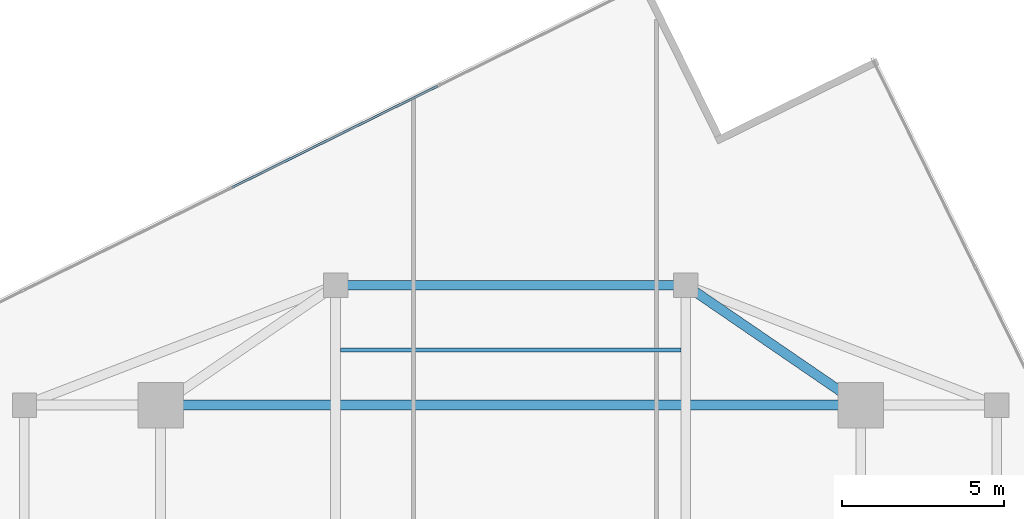
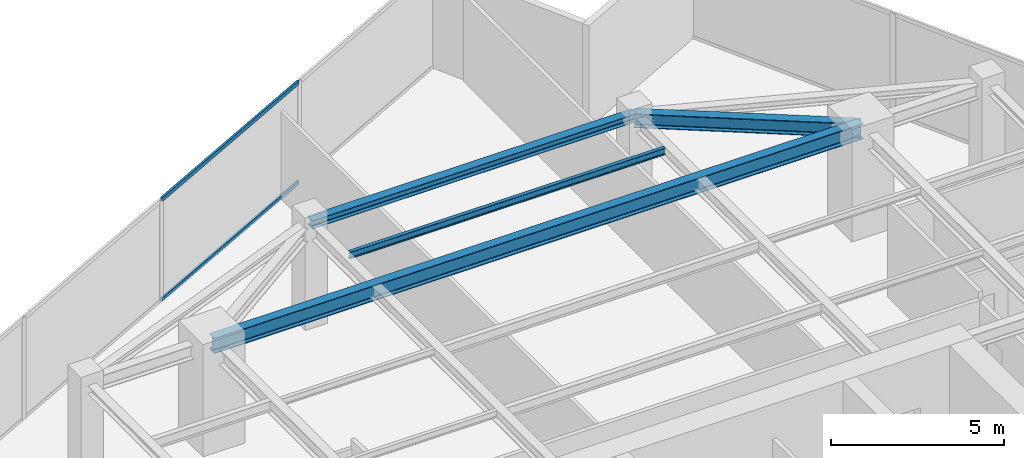
# One storey, part 14 of 22: 4 beams, 2 members, 1 element without a shape of its own.
"""IFC4 building model written with IfcOpenShell, lengths in metres."""

from ifc_helpers import new_model, si_unit, direction, frame, origin, origin_2d, place, context, subcontext, project, spatial, hollow_rectangle, i_section, extrude, source, transform, mapped, material, material_profile, profile_set, type_object, type_shapes, element, aggregate, save


model = new_model("IFC4")

# Units and contexts
model_context = context("Model", 3, precision=1e-05, world=origin(), true_north=direction((0.0, 1.0)))
body_context = subcontext(model_context, "Body", "Model", "MODEL_VIEW")
ifc_project = project(units=[si_unit("LENGTHUNIT", "METRE"), si_unit("AREAUNIT", "SQUARE_METRE"), si_unit("VOLUMEUNIT", "CUBIC_METRE"), si_unit("PLANEANGLEUNIT", "RADIAN"), si_unit("MASSUNIT", "GRAM", prefix="KILO")], contexts=[model_context])

# Site, building, storey
site_placement = place(None, origin())
site = spatial("IfcSite", under=ifc_project, at=site_placement, CompositionType="ELEMENT")
building_placement = place(site_placement, origin())
building = spatial("IfcBuilding", under=site, at=building_placement, Name="Krantzveldt Concourse Tower", CompositionType="ELEMENT")
storey_placement = place(building_placement, frame((0.0, 0.0, 314.800048828125)))
storey = spatial("IfcBuildingStorey", under=building, at=storey_placement, Name="L77", CompositionType="ELEMENT", Elevation=314.800048828125)

# Beams
ifc_material_1 = material(Name="Steel S355JR", Category="steel")
ifc_material_profile_1 = material_profile(ifc_material_1, i_section(OverallWidth=0.300048828125, OverallDepth=0.489990234375, WebThickness=0.011962890625, FlangeThickness=0.02294921875, FilletRadius=0.027099609375, at=origin_2d()), Name="Steel S355JR", Category="steel")
ifc_profile_set_1 = profile_set([ifc_material_profile_1], Name="Steel S355JR - HEA 500")
beam_type_1 = type_object("IfcBeamType", Name="BM-B-HEA500", PredefinedType="BEAM", material=ifc_profile_set_1)
shared_shape_1 = source(origin(), body_context, "Body", "SweptSolid", [
    extrude(i_section(OverallWidth=0.300048828125, OverallDepth=0.489990234375, WebThickness=0.011962890625, FlangeThickness=0.02294921875, FilletRadius=0.027099609375, at=origin_2d()), origin(), (0.0, 0.0, 1.0), 6.546142578125),
])
type_shapes(beam_type_1, [shared_shape_1])
beam_1_placement = place(storey_placement, frame((46.800048828125, 37.5, 3.344970703125), z_axis=(-0.824942999484, 0.565215930068, 0.0), x_axis=(-0.565215930068, -0.824942999484, 0.0)))
element("IfcBeam", 1, at=beam_1_placement, inside=storey, type_object=beam_type_1, Name="L77 Tower Girder BR-RR4", PredefinedType="BEAM", context=body_context, shape_type="MappedRepresentation", body=[
    mapped(shared_shape_1, transform((0.0, 0.0, 0.0), x_axis=(1.0, 0.0, 0.0), y_axis=(0.0, 1.0, 0.0), z_axis=(0.0, 0.0, 1.0), scale=1.0)),
])
ifc_material_profile_2 = material_profile(ifc_material_1, i_section(OverallWidth=0.300048828125, OverallDepth=0.5400390625, WebThickness=0.012451171875, FlangeThickness=0.02392578125, FilletRadius=0.027099609375, at=origin_2d()), Name="Steel S355JR", Category="steel")
ifc_profile_set_2 = profile_set([ifc_material_profile_2], Name="Steel S355JR - HEA 550")
beam_type_2 = type_object("IfcBeamType", Name="BM-B-HEA550", PredefinedType="BEAM", material=ifc_profile_set_2)
shared_shape_2 = source(origin(), body_context, "Body", "SweptSolid", [
    extrude(i_section(OverallWidth=0.300048828125, OverallDepth=0.5400390625, WebThickness=0.012451171875, FlangeThickness=0.02392578125, FilletRadius=0.027099609375, at=origin_2d()), origin(), (0.0, 0.0, 1.0), 21.60009765625),
])
type_shapes(beam_type_2, [shared_shape_2])
beam_2_placement = place(storey_placement, frame((25.199951171875, 37.5, 3.320068359375), z_axis=(1.0, 0.0, 0.0), x_axis=(0.0, 1.0, 0.0)))
element("IfcBeam", 2, at=beam_2_placement, inside=storey, type_object=beam_type_2, Name="L77 Tower Girder BG-MN", PredefinedType="BEAM", context=body_context, shape_type="MappedRepresentation", body=[
    mapped(shared_shape_2, transform((0.0, 0.0, 0.0), x_axis=(1.0, 0.0, 0.0), y_axis=(0.0, 1.0, 0.0), z_axis=(0.0, 0.0, 1.0), scale=1.0)),
])
ifc_material_profile_3 = material_profile(ifc_material_1, i_section(OverallWidth=0.2900390625, OverallDepth=0.2900390625, WebThickness=0.008544921875, FlangeThickness=0.013916015625, FilletRadius=0.027099609375, at=origin_2d()), Name="Steel S355JR", Category="steel")
ifc_profile_set_3 = profile_set([ifc_material_profile_3], Name="Steel S355JR - HEA 300")
beam_type_3 = type_object("IfcBeamType", Name="BM-SP-HEA300", PredefinedType="SPANDREL", material=ifc_profile_set_3)
shared_shape_3 = source(origin(), body_context, "Body", "SweptSolid", [
    extrude(i_section(OverallWidth=0.2900390625, OverallDepth=0.2900390625, WebThickness=0.008544921875, FlangeThickness=0.013916015625, FilletRadius=0.027099609375, at=origin_2d()), origin(), (0.0, 0.0, 1.0), 10.7998046875),
])
type_shapes(beam_type_3, [shared_shape_3])
beam_3_placement = place(storey_placement, frame((30.60009765625, 41.199951171875, 3.445068359375), z_axis=(1.0, 0.0, 0.0), x_axis=(0.0, 1.0, 0.0)))
element("IfcBeam", 3, at=beam_3_placement, inside=storey, type_object=beam_type_3, Name="L77 Tower Girder SP-R04", PredefinedType="SPANDREL", context=body_context, shape_type="MappedRepresentation", body=[
    mapped(shared_shape_3, transform((0.0, 0.0, 0.0), x_axis=(1.0, 0.0, 0.0), y_axis=(0.0, 1.0, 0.0), z_axis=(0.0, 0.0, 1.0), scale=1.0)),
])
ifc_material_profile_4 = material_profile(ifc_material_1, i_section(OverallWidth=0.1201171875, OverallDepth=0.239990234375, WebThickness=0.006103515625, FlangeThickness=0.009765625, FilletRadius=0.014892578125, at=origin_2d()), Name="Steel S355JR", Category="steel")
ifc_profile_set_4 = profile_set([ifc_material_profile_4], Name="Steel S355JR - IPE 240")
beam_type_4 = type_object("IfcBeamType", Name="BM-LN-IPE240", PredefinedType="LINTEL", material=ifc_profile_set_4)
shared_shape_4 = source(origin(), body_context, "Body", "SweptSolid", [
    extrude(i_section(OverallWidth=0.1201171875, OverallDepth=0.239990234375, WebThickness=0.006103515625, FlangeThickness=0.009765625, FilletRadius=0.014892578125, at=origin_2d()), origin(), (0.0, 0.0, 1.0), 10.5),
])
type_shapes(beam_type_4, [shared_shape_4])
beam_4_placement = place(storey_placement, frame((30.75, 39.199951171875, 3.469970703125), z_axis=(1.0, 0.0, 0.0), x_axis=(0.0, 1.0, 0.0)))
element("IfcBeam", 4, at=beam_4_placement, inside=storey, type_object=beam_type_4, Name="L77 Secondary Floor Joist JN-C3", PredefinedType="LINTEL", context=body_context, shape_type="MappedRepresentation", body=[
    mapped(shared_shape_4, transform((0.0, 0.0, 0.0), x_axis=(1.0, 0.0, 0.0), y_axis=(0.0, 1.0, 0.0), z_axis=(0.0, 0.0, 1.0), scale=1.0)),
])

# Curtain wall, members
ifc_material_2 = material(Name="Anodised aluminium 6063-T6", Category="aluminium")
curtain_wall_type = type_object("IfcCurtainWallType", Name="CW4", PredefinedType="USERDEFINED", material=ifc_material_2)
curtain_wall_placement = place(storey_placement, origin())
curtain_wall = element("IfcCurtainWall", 5, at=curtain_wall_placement, inside=storey, type_object=curtain_wall_type, Name="CW-L77-F01", ObjectType="UNITISED CURTAIN WALL", PredefinedType="USERDEFINED")
ifc_material_profile_5 = material_profile(ifc_material_2, hollow_rectangle(XDim=0.070068359375, YDim=0.139892578125, WallThickness=0.0048828125, at=origin_2d()), Name="Anodised aluminium 6063-T6", Category="aluminium")
ifc_profile_set_5 = profile_set([ifc_material_profile_5], Name="Anodised aluminium 6063-T6 - ALU-TRAN 140x70x5")
member_type = type_object("IfcMemberType", Name="CW-TRN-150", PredefinedType="USERDEFINED", material=ifc_profile_set_5)
shared_shape_5 = source(origin(), body_context, "Body", "SweptSolid", [
    extrude(hollow_rectangle(XDim=0.070068359375, YDim=0.139892578125, WallThickness=0.0048828125, at=origin_2d()), origin(), (0.0, 0.0, 1.0), 7.080078125),
])
type_shapes(member_type, [shared_shape_5])
member_1_placement = place(storey_placement, frame((33.752197265625, 47.344970703125, 0.034912109375), z_axis=(-0.896862063633, -0.442310342198, 0.0), x_axis=(0.442310342198, -0.896862063633, 0.0)))
member_1 = element("IfcMember", 6, at=member_1_placement, type_object=member_type, Name="CW-Z56 transom 2.1", ObjectType="TRANSOM", PredefinedType="USERDEFINED", context=body_context, shape_type="MappedRepresentation", body=[
    mapped(shared_shape_5, transform((0.0, 0.0, 0.0), x_axis=(1.0, 0.0, 0.0), y_axis=(0.0, 1.0, 0.0), z_axis=(0.0, 0.0, 1.0), scale=1.0)),
])
member_2_placement = place(storey_placement, frame((33.752197265625, 47.344970703125, 3.554931640625), z_axis=(-0.896862063633, -0.442310342198, 0.0), x_axis=(0.442310342198, -0.896862063633, 0.0)))
member_2 = element("IfcMember", 7, at=member_2_placement, type_object=member_type, Name="CW-Z56 transom 2.2", ObjectType="TRANSOM", PredefinedType="USERDEFINED", context=body_context, shape_type="MappedRepresentation", body=[
    mapped(shared_shape_5, transform((0.0, 0.0, 0.0), x_axis=(1.0, 0.0, 0.0), y_axis=(0.0, 1.0, 0.0), z_axis=(0.0, 0.0, 1.0), scale=1.0)),
])
aggregate(curtain_wall, [member_1, member_2])

save(model, "model.ifc")
